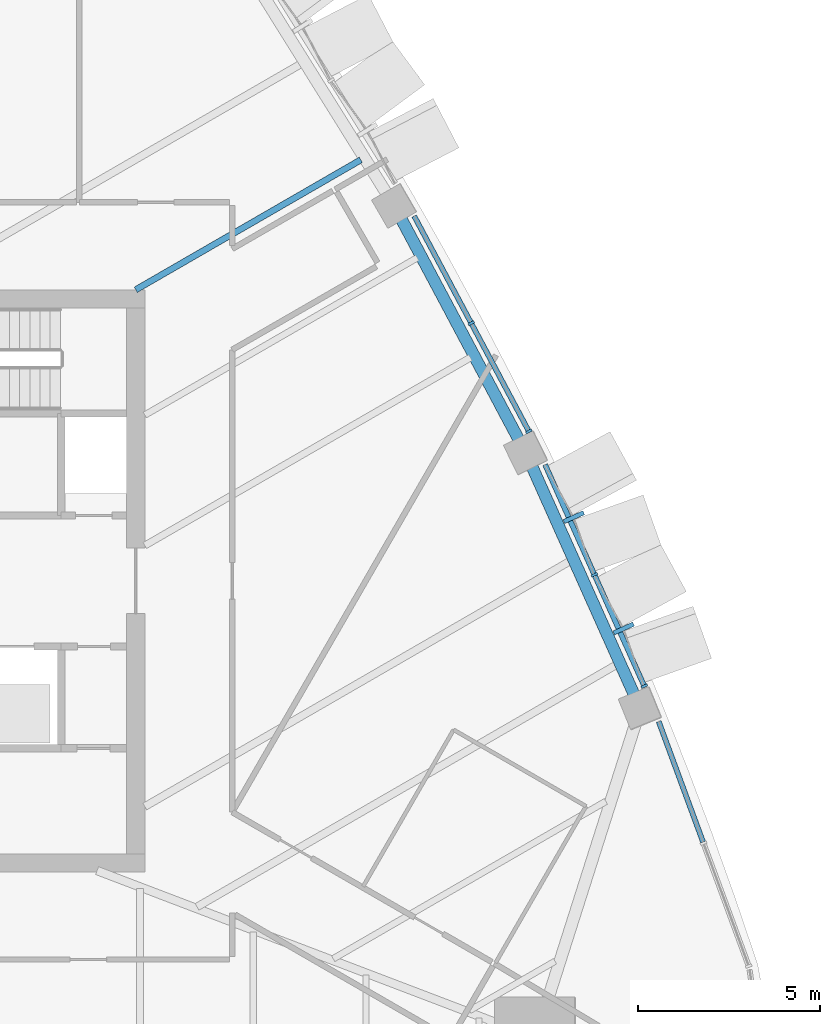
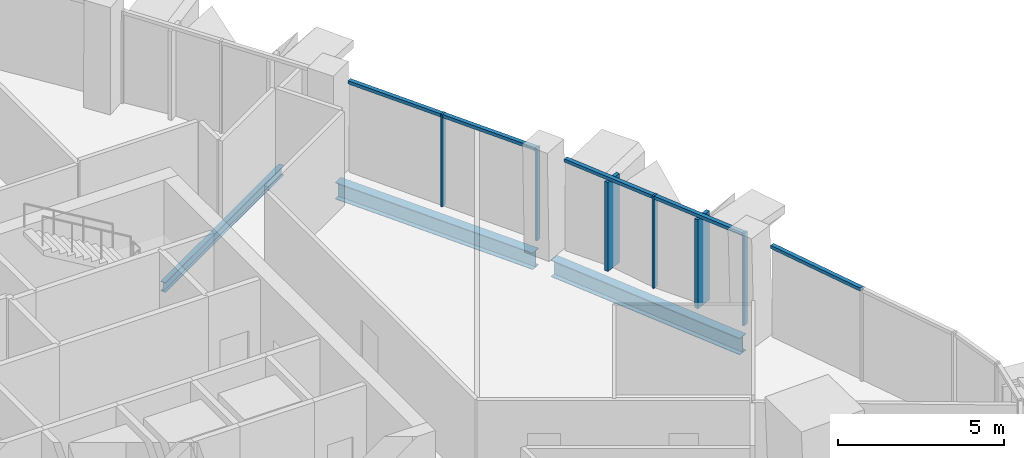
# One storey, part 5 of 18: 11 members, 3 beams, 3 elements without a shape of their own.
"""IFC4 building model written with IfcOpenShell, lengths in metres."""

from ifc_helpers import new_model, si_unit, direction, frame, origin, origin_2d, place, context, subcontext, project, spatial, rectangle, i_section, extrude, material, layer, layer_set, material_profile, profile_set, type_object, element, aggregate, save


model = new_model("IFC4")

# Units and contexts
model_context = context("Model", 3, precision=1e-05, world=origin(), true_north=direction((0.0, 1.0)))
body_context = subcontext(model_context, "Body", "Model", "MODEL_VIEW")
ifc_project = project(units=[si_unit("LENGTHUNIT", "METRE"), si_unit("AREAUNIT", "SQUARE_METRE"), si_unit("VOLUMEUNIT", "CUBIC_METRE"), si_unit("PLANEANGLEUNIT", "RADIAN"), si_unit("MASSUNIT", "GRAM", prefix="KILO")], contexts=[model_context])

# Site, building, storey
site_placement = place(None, origin())
site = spatial("IfcSite", under=ifc_project, at=site_placement, CompositionType="ELEMENT")
building_placement = place(site_placement, origin())
building = spatial("IfcBuilding", under=site, at=building_placement, Name="Sierra Prisma Convention Tower", CompositionType="ELEMENT")
storey_placement = place(building_placement, frame((0.0, 0.0, 251.0)))
storey = spatial("IfcBuildingStorey", under=building, at=storey_placement, Name="L56", CompositionType="ELEMENT", Elevation=251.0)

# Curtain wall, members
ifc_material_1 = material(Name="Aluminium and glass curtain wall", Category="aluminium")
ifc_layer_1 = layer(ifc_material_1, 0.179931640625)
ifc_layer_set_1 = layer_set([ifc_layer_1], Name="CW-2 Faceted crystal curtain wall")
curtain_wall_type_1 = type_object("IfcCurtainWallType", Name="CW-2 Faceted crystal curtain wall", PredefinedType="NOTDEFINED", material=ifc_layer_set_1)
curtain_wall_1_placement = place(storey_placement, origin())
curtain_wall_1 = element("IfcCurtainWall", 1, at=curtain_wall_1_placement, inside=storey, type_object=curtain_wall_type_1, Name="CW-2 NE2 L56", PredefinedType="NOTDEFINED")
ifc_material_2 = material(Name="Aluminium 6063-T6 bronze anodised", Category="aluminium")
ifc_material_profile_1 = material_profile(ifc_material_2, rectangle(XDim=0.1201171875, YDim=0.60009765625, at=origin_2d()), Name="ALU RIDGE BLADE 120x600")
ifc_profile_set_1 = profile_set([ifc_material_profile_1], Name="Aluminium 6063-T6 bronze anodised")
member_type_1 = type_object("IfcMemberType", Name="CW hip bronze", PredefinedType="MULLION", material=ifc_profile_set_1)
member_1_placement = place(storey_placement, frame((24.154052734375, -1.30712890625, 0.0), z_axis=(0.0, 0.0, 1.0), x_axis=(-0.408698402127, 0.912669499928, 0.0)))
member_1 = element("IfcMember", 2, at=member_1_placement, type_object=member_type_1, Name="CW-2 ridge NE2.1", PredefinedType="MULLION", context=body_context, shape_type="SweptSolid", body=[
    extrude(rectangle(XDim=0.1201171875, YDim=0.60009765625, at=origin_2d()), origin(), (0.0, 0.0, 1.0), 3.280029296875),
])
member_2_placement = place(storey_placement, frame((22.784423828125, 1.751708984375, 0.0), z_axis=(0.0, 0.0, 1.0), x_axis=(-0.408698402127, 0.912669499928, 0.0)))
member_2 = element("IfcMember", 3, at=member_2_placement, type_object=member_type_1, Name="CW-2 ridge NE2.2", PredefinedType="MULLION", context=body_context, shape_type="SweptSolid", body=[
    extrude(rectangle(XDim=0.1201171875, YDim=0.60009765625, at=origin_2d()), origin(), (0.0, 0.0, 1.0), 3.280029296875),
])
ifc_material_3 = material(Name="Aluminium 6063-T6 bronze anodised", Category="aluminium")
ifc_material_profile_2 = material_profile(ifc_material_3, rectangle(XDim=0.179931640625, YDim=0.070068359375, at=origin_2d()), Name="ALU MULLION 70x180")
ifc_profile_set_2 = profile_set([ifc_material_profile_2], Name="Aluminium 6063-T6 bronze anodised")
member_type_2 = type_object("IfcMemberType", Name="CW mullion bronze", PredefinedType="MULLION", material=ifc_profile_set_2)
member_3_placement = place(storey_placement, frame((24.72119140625, -2.88916015625, 0.0), z_axis=(0.0, 0.0, 1.0), x_axis=(-0.912669499928, -0.408698402127, 0.0)))
member_3 = element("IfcMember", 4, at=member_3_placement, type_object=member_type_2, Name="CW-1 mullion NE2.1", PredefinedType="MULLION", context=body_context, shape_type="SweptSolid", body=[
    extrude(rectangle(XDim=0.179931640625, YDim=0.070068359375, at=origin_2d()), origin(), (0.0, 0.0, 1.0), 3.39990234375),
])
member_4_placement = place(storey_placement, frame((23.351318359375, 0.169677734375, 0.0), z_axis=(0.0, 0.0, 1.0), x_axis=(-0.912669499928, -0.408698402127, 0.0)))
member_4 = element("IfcMember", 5, at=member_4_placement, type_object=member_type_2, Name="CW-1 mullion NE2.2", PredefinedType="MULLION", context=body_context, shape_type="SweptSolid", body=[
    extrude(rectangle(XDim=0.179931640625, YDim=0.070068359375, at=origin_2d()), origin(), (0.0, 0.0, 1.0), 3.39990234375),
])

ifc_material_4 = material(Name="Aluminium and glass curtain wall", Category="aluminium")
ifc_layer_2 = layer(ifc_material_4, 0.179931640625)
ifc_layer_set_2 = layer_set([ifc_layer_2], Name="CW-1 Plain shaft curtain wall")
curtain_wall_type_2 = type_object("IfcCurtainWallType", Name="CW-1 Plain shaft curtain wall", PredefinedType="NOTDEFINED", material=ifc_layer_set_2)
curtain_wall_2_placement = place(storey_placement, origin())
curtain_wall_2 = element("IfcCurtainWall", 6, at=curtain_wall_2_placement, inside=storey, type_object=curtain_wall_type_2, Name="CW-1 NE3 L56", PredefinedType="NOTDEFINED")
member_5_placement = place(storey_placement, frame((21.5498046875, 4.10986328125, 0.0), z_axis=(0.0, 0.0, 1.0), x_axis=(-0.882611155693, -0.470103762851, 0.0)))
member_5 = element("IfcMember", 7, at=member_5_placement, type_object=member_type_2, Name="CW-1 mullion NE3.1", PredefinedType="MULLION", context=body_context, shape_type="SweptSolid", body=[
    extrude(rectangle(XDim=0.179931640625, YDim=0.070068359375, at=origin_2d()), origin(), (0.0, 0.0, 1.0), 3.39990234375),
])
member_6_placement = place(storey_placement, frame((19.966552734375, 7.08203125, 0.0), z_axis=(0.0, 0.0, 1.0), x_axis=(-0.882611155693, -0.470103762851, 0.0)))
member_6 = element("IfcMember", 8, at=member_6_placement, type_object=member_type_2, Name="CW-1 mullion NE3.2", PredefinedType="MULLION", context=body_context, shape_type="SweptSolid", body=[
    extrude(rectangle(XDim=0.179931640625, YDim=0.070068359375, at=origin_2d()), origin(), (0.0, 0.0, 1.0), 3.39990234375),
])

# Curtain wall, member
curtain_wall_3_placement = place(storey_placement, origin())
curtain_wall_3 = element("IfcCurtainWall", 9, at=curtain_wall_3_placement, inside=storey, type_object=curtain_wall_type_2, Name="CW-1 NE1 L56", PredefinedType="NOTDEFINED")
ifc_material_5 = material(Name="Aluminium 6063-T6 bronze anodised", Category="aluminium")
ifc_material_profile_3 = material_profile(ifc_material_5, rectangle(XDim=0.139892578125, YDim=0.1201171875, at=origin_2d()), Name="ALU TRANSOM 120x140")
ifc_profile_set_3 = profile_set([ifc_material_profile_3], Name="Aluminium 6063-T6 bronze anodised")
member_type_3 = type_object("IfcMemberType", Name="CW transom bronze", PredefinedType="USERDEFINED", material=ifc_profile_set_3)
member_7_placement = place(storey_placement, frame((26.33544921875, -7.17138671875, 3.340087890625), z_axis=(-0.345323776593, 0.938483611642, 0.0), x_axis=(-0.938483611642, -0.345323776593, 0.0)))
member_7 = element("IfcMember", 10, at=member_7_placement, type_object=member_type_3, Name="CW-1 transom NE1.2", ObjectType="TRANSOM", PredefinedType="USERDEFINED", context=body_context, shape_type="SweptSolid", body=[
    extrude(rectangle(XDim=0.139892578125, YDim=0.1201171875, at=origin_2d()), origin(), (0.0, 0.0, 1.0), 3.528564453125),
])
aggregate(curtain_wall_3, [member_7])

# Member
member_8_placement = place(storey_placement, frame((24.706787109375, -2.857421875, 3.340087890625), z_axis=(-0.40865641074, 0.912688302741, 0.0), x_axis=(-0.912688302741, -0.40865641074, 0.0)))
member_8 = element("IfcMember", 11, at=member_8_placement, type_object=member_type_3, Name="CW-1 transom NE2.1", ObjectType="TRANSOM", PredefinedType="USERDEFINED", context=body_context, shape_type="SweptSolid", body=[
    extrude(rectangle(XDim=0.139892578125, YDim=0.1201171875, at=origin_2d()), origin(), (0.0, 0.0, 1.0), 3.28173828125),
])

member_9_placement = place(storey_placement, frame((23.337158203125, 0.201416015625, 3.340087890625), z_axis=(-0.408718379653, 0.91266055362, 0.0), x_axis=(-0.91266055362, -0.408718379653, 0.0)))
member_9 = element("IfcMember", 12, at=member_9_placement, type_object=member_type_3, Name="CW-1 transom NE2.2", ObjectType="TRANSOM", PredefinedType="USERDEFINED", context=body_context, shape_type="SweptSolid", body=[
    extrude(rectangle(XDim=0.139892578125, YDim=0.1201171875, at=origin_2d()), origin(), (0.0, 0.0, 1.0), 3.28173828125),
])

aggregate(curtain_wall_1, [member_3, member_4, member_8, member_1, member_9, member_2])

member_10_placement = place(storey_placement, frame((21.533203125, 4.140625, 3.340087890625), z_axis=(-0.470077052932, 0.882625381635, 0.0), x_axis=(-0.882625381635, -0.470077052932, 0.0)))
member_10 = element("IfcMember", 13, at=member_10_placement, type_object=member_type_3, Name="CW-1 transom NE3.1", ObjectType="TRANSOM", PredefinedType="USERDEFINED", context=body_context, shape_type="SweptSolid", body=[
    extrude(rectangle(XDim=0.139892578125, YDim=0.1201171875, at=origin_2d()), origin(), (0.0, 0.0, 1.0), 3.29736328125),
])

member_11_placement = place(storey_placement, frame((19.9501953125, 7.11279296875, 3.340087890625), z_axis=(-0.470077052932, 0.882625381635, 0.0), x_axis=(-0.882625381635, -0.470077052932, 0.0)))
member_11 = element("IfcMember", 14, at=member_11_placement, type_object=member_type_3, Name="CW-1 transom NE3.2", ObjectType="TRANSOM", PredefinedType="USERDEFINED", context=body_context, shape_type="SweptSolid", body=[
    extrude(rectangle(XDim=0.139892578125, YDim=0.1201171875, at=origin_2d()), origin(), (0.0, 0.0, 1.0), 3.29736328125),
])

aggregate(curtain_wall_2, [member_5, member_6, member_10, member_11])

# Beams
ifc_material_6 = material(Name="Steel ASTM A992 Gr 50", Category="steel")
ifc_material_profile_4 = material_profile(ifc_material_6, i_section(OverallWidth=0.172119140625, OverallDepth=0.35791015625, WebThickness=0.0078125, FlangeThickness=0.01318359375, at=origin_2d()), Name="W360x57")
ifc_profile_set_4 = profile_set([ifc_material_profile_4], Name="Steel ASTM A992 Gr 50")
beam_type_1 = type_object("IfcBeamType", Name="Floor joist W360x57", PredefinedType="JOIST", material=ifc_profile_set_4)
beam_placement = place(storey_placement, frame((16.932861328125, 11.56884765625, -0.3291015625), z_axis=(-0.86602438872, -0.500001758139, 0.0), x_axis=(0.500001758139, -0.86602438872, 0.0)))
element("IfcBeam", 15, at=beam_placement, inside=storey, type_object=beam_type_1, Name="Floor joist L56 NE08", PredefinedType="JOIST", context=body_context, shape_type="SweptSolid", body=[
    extrude(i_section(OverallWidth=0.172119140625, OverallDepth=0.35791015625, WebThickness=0.0078125, FlangeThickness=0.01318359375, at=origin_2d()), origin(), (0.0, 0.0, 1.0), 7.1376953125),
])
ifc_material_7 = material(Name="Steel ASTM A992 Gr 50", Category="steel")
ifc_material_profile_5 = material_profile(ifc_material_7, i_section(OverallWidth=0.324951171875, OverallDepth=0.615966796875, WebThickness=0.013916015625, FlangeThickness=0.021484375, at=origin_2d()), Name="W610x174")
ifc_profile_set_5 = profile_set([ifc_material_profile_5], Name="Steel ASTM A992 Gr 50")
beam_type_2 = type_object("IfcBeamType", Name="Spandrel beam W610x174", PredefinedType="BEAM", material=ifc_profile_set_5)
for number, where, z_axis, x_axis, name in (
    (16, (24.47802734375, -3.20263671875, -0.4580078125), (-0.408675093937, 0.912679937106, 0.0), (-0.912679937106, -0.408675093937, 0.0), "Spandrel L56-08"),
    (17, (21.313720703125, 3.80859375, -0.4580078125), (-0.47008904276, 0.882618995874, 0.0), (-0.882618995874, -0.47008904276, 0.0), "Spandrel L56-09"),
):
    element("IfcBeam", number, at=place(storey_placement, frame(where, z_axis=z_axis, x_axis=x_axis)), inside=storey, type_object=beam_type_2, Name=name, PredefinedType="BEAM", context=body_context, shape_type="SweptSolid", body=[
        extrude(i_section(OverallWidth=0.324951171875, OverallDepth=0.615966796875, WebThickness=0.013916015625, FlangeThickness=0.021484375, at=origin_2d()), origin(), (0.0, 0.0, 1.0), 7.032470703125),
    ])

save(model, "model.ifc")
